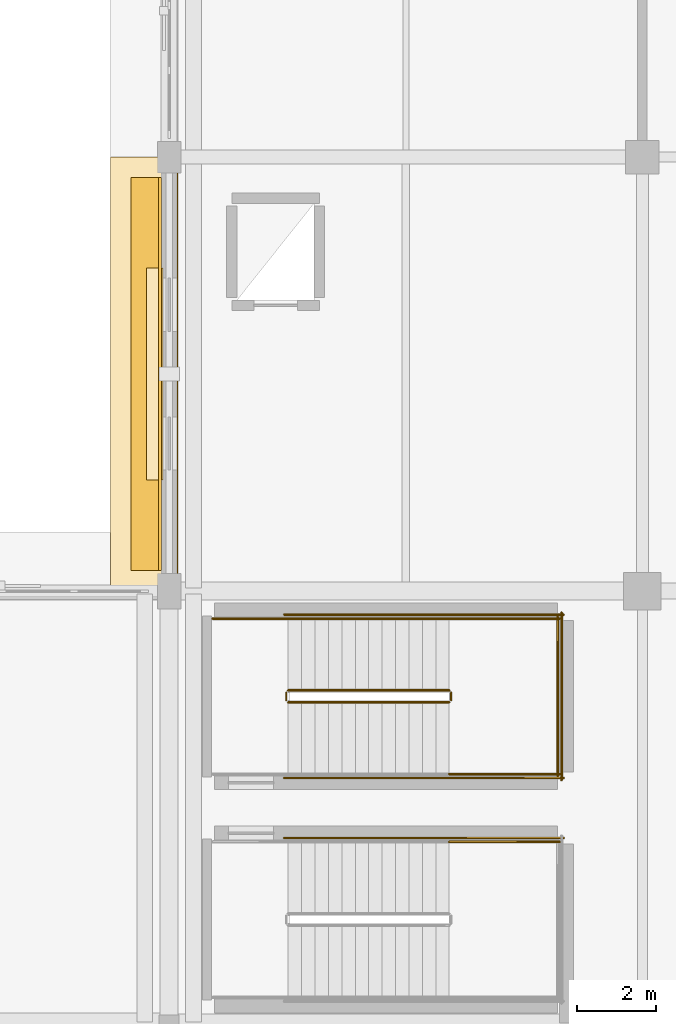
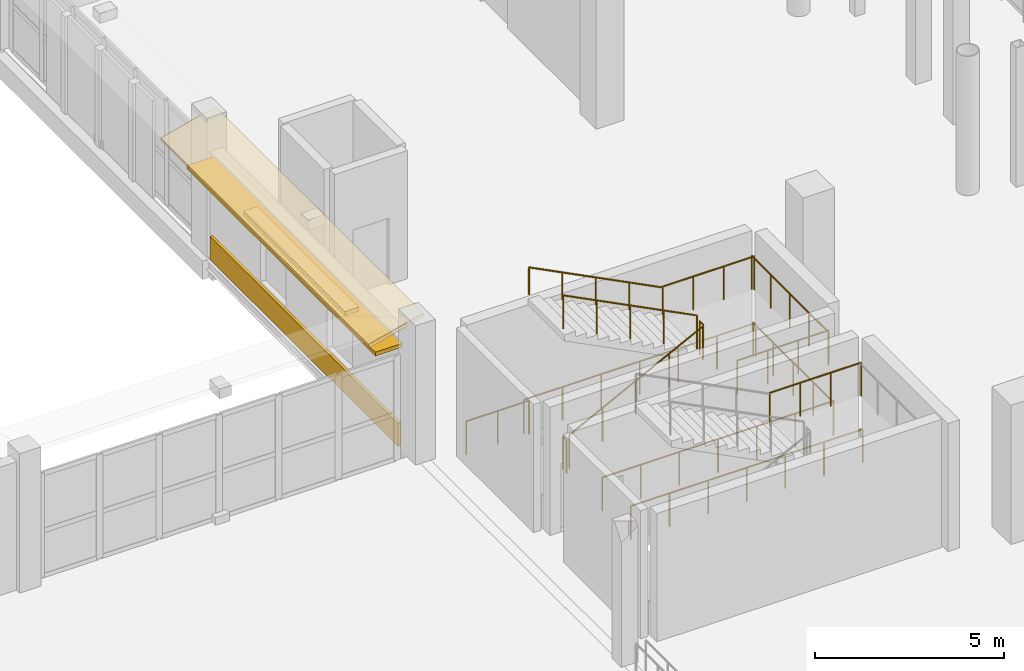
# One storey, part 102 of 118: 14 railings, 3 coverings, 1 shading device.
"""IFC4 building model written with IfcOpenShell, lengths in metres."""

from ifc_helpers import new_model, si_unit, direction, frame, origin, origin_2d, place, context, subcontext, project, spatial, polyline, rectangle, circle, outline, extrude, material, layer, layer_set, type_object, element, save


model = new_model("IFC4")

# Units and contexts
model_context = context("Model", 3, precision=1e-05, world=origin(), true_north=direction((0.0, 1.0)))
body_context = subcontext(model_context, "Body", "Model", "MODEL_VIEW")
ifc_project = project(units=[si_unit("LENGTHUNIT", "METRE"), si_unit("AREAUNIT", "SQUARE_METRE"), si_unit("VOLUMEUNIT", "CUBIC_METRE"), si_unit("PLANEANGLEUNIT", "RADIAN"), si_unit("MASSUNIT", "GRAM", prefix="KILO")], contexts=[model_context])

# Site, building, storey
site_placement = place(None, origin())
site = spatial("IfcSite", under=ifc_project, at=site_placement, CompositionType="ELEMENT")
building_placement = place(site_placement, origin())
building = spatial("IfcBuilding", under=site, at=building_placement, Name="Luwafu Chhajja Arena", CompositionType="ELEMENT")
storey_placement = place(building_placement, frame((0.0, 0.0, 10.199951171875)))
storey = spatial("IfcBuildingStorey", under=building, at=storey_placement, Name="L02", CompositionType="ELEMENT", Elevation=10.199951171875)

# Coverings
ifc_material_1 = material(Name="Red laterite sandstone cladding", Category="masonry")
ifc_layer_1 = layer(ifc_material_1, 0.074951171875, Name="Red laterite sandstone cladding")
ifc_layer_set_1 = layer_set([ifc_layer_1], Name="Red laterite sandstone cladding")
covering_type = type_object("IfcCoveringType", Name="Dressed Red-Laterite Sandstone Cladding", PredefinedType="CLADDING", material=ifc_layer_set_1)
covering_1_placement = place(storey_placement, frame((34.199951171875, 55.0, 4.4599609375), z_axis=(-0.242502450825, 0.0, 0.970150793096), x_axis=(0.0, 1.0, 0.0)))
element("IfcCovering", 1, at=covering_1_placement, inside=storey, type_object=covering_type, Name="L02 Continuous Sloped Sandstone Chhajja Eave 0149", PredefinedType="CLADDING", context=body_context, shape_type="SweptSolid", body=[
    extrude(outline(polyline([(0.0, 0.0), (11.0, 0.0), (11.0, 1.731619097341133), (0.0, 1.731619097341133), (0.0, 0.0)])), origin(), (0.0, 0.0, -1.0), 0.1298828125),
])
covering_2_placement = place(storey_placement, frame((33.76806640625, 60.5, 0.0), z_axis=(0.0, 0.0, 1.0), x_axis=(0.0, 1.0, 0.0)))
element("IfcCovering", 2, at=covering_2_placement, inside=storey, type_object=covering_type, Name="L02 Red-Laterite Sandstone Plinth Cladding 054", PredefinedType="CLADDING", context=body_context, shape_type="SweptSolid", body=[
    extrude(rectangle(XDim=9.9599609375, YDim=0.0849609375, at=origin_2d()), origin(), (0.0, 0.0, 1.0), 0.760009765625),
])
covering_3_placement = place(storey_placement, frame((33.639892578125, 60.5, 2.93017578125), z_axis=(0.0, 0.0, 1.0), x_axis=(0.0, 1.0, 0.0)))
element("IfcCovering", 3, at=covering_3_placement, inside=storey, type_object=covering_type, Name="L02 Mughal Sandstone Window Chhajja Hood 0053", PredefinedType="CLADDING", context=body_context, shape_type="SweptSolid", body=[
    extrude(rectangle(XDim=5.3701171875, YDim=0.419921875, at=origin_2d()), origin(), (0.0, 0.0, 1.0), 0.139892578125),
])

# Shading device
ifc_material_2 = material(Name="Red laterite sandstone chhajja", Category="masonry")
ifc_layer_2 = layer(ifc_material_2, 0.1201171875, Name="Red laterite sandstone chhajja")
ifc_layer_set_2 = layer_set([ifc_layer_2], Name="Red laterite sandstone chhajja")
shading_device_type = type_object("IfcShadingDeviceType", Name="Sloped Red-Sandstone Chhajja Eave", PredefinedType="USERDEFINED", material=ifc_layer_set_2)
shading_device_placement = place(storey_placement, frame((33.43994140625, 60.5, 3.169921875), z_axis=(0.0, 0.0, 1.0), x_axis=(0.0, 1.0, 0.0)))
element("IfcShadingDevice", 4, at=shading_device_placement, inside=storey, type_object=shading_device_type, Name="L02 Sloped Red-Sandstone Chhajja Eave 051", ObjectType="CHHAJJA", PredefinedType="USERDEFINED", context=body_context, shape_type="SweptSolid", body=[
    extrude(rectangle(XDim=9.9599609375, YDim=0.820068359375, at=origin_2d()), origin(), (0.0, 0.0, 1.0), 0.1201171875),
])

# Railings
ifc_material_3 = material(Name="Stainless steel handrail", Category="steel")
railing_type_1 = type_object("IfcRailingType", Name="Stair Pitch Wall Handrail 920", PredefinedType="HANDRAIL", material=ifc_material_3)
railing_1_placement = place(storey_placement, frame((41.10009765625, 54.300048828125, 2.423095703125)))
element("IfcRailing", 5, at=railing_1_placement, inside=storey, type_object=railing_type_1, Name="L02 ST-10 stair handrail 2", PredefinedType="HANDRAIL", context=body_context, shape_type="SweptSolid", body=[
    extrude(circle(Radius=0.02392578125, at=origin_2d()), frame((0.0, 0.0, 0.8759765625), z_axis=(-0.891183106714, 0.0, 0.453643770274), x_axis=(0.0, -1.0, 0.0)), (0.0, 0.0, 1.0), 4.578369140625),
    extrude(circle(Radius=0.02099609375, at=origin_2d()), origin(), (0.0, 0.0, 1.0), 0.851806640625),
    extrude(circle(Radius=0.02099609375, at=origin_2d()), frame((-1.02001953125, 0.0, 0.519287109375)), (0.0, 0.0, 1.0), 0.851806640625),
    extrude(circle(Radius=0.02099609375, at=origin_2d()), frame((-2.0400390625, 0.0, 1.03857421875)), (0.0, 0.0, 1.0), 0.851806640625),
    extrude(circle(Radius=0.02099609375, at=origin_2d()), frame((-3.06005859375, 0.0, 1.5576171875)), (0.0, 0.0, 1.0), 0.851806640625),
    extrude(circle(Radius=0.02099609375, at=origin_2d()), frame((-4.080078125, 0.0, 2.076904296875)), (0.0, 0.0, 1.0), 0.851806640625),
])
ifc_material_4 = material(Name="Stainless steel balustrade", Category="steel")
railing_type_2 = type_object("IfcRailingType", Name="Stair and Terrace Guard Balustrade 1100", PredefinedType="BALUSTRADE", material=ifc_material_4)
railing_2_placement = place(storey_placement, frame((41.10009765625, 48.639892578125, 2.25)))
element("IfcRailing", 6, at=railing_2_placement, inside=storey, type_object=railing_type_2, Name="L02 ST-09 stair guard 4", PredefinedType="BALUSTRADE", context=body_context, shape_type="SweptSolid", body=[
    extrude(circle(Radius=0.02392578125, at=origin_2d()), frame((0.0, 0.0, 1.076171875), z_axis=(1.0, 0.0, 0.0), x_axis=(0.0, 1.0, 0.0)), (0.0, 0.0, 1.0), 2.7998046875),
    extrude(circle(Radius=0.02099609375, at=origin_2d()), origin(), (0.0, 0.0, 1.0), 1.052001953125),
    extrude(circle(Radius=0.02099609375, at=origin_2d()), frame((0.933349609375, 0.0, 0.0)), (0.0, 0.0, 1.0), 1.052001953125),
    extrude(circle(Radius=0.02099609375, at=origin_2d()), frame((1.866455078125, 0.0, 0.0)), (0.0, 0.0, 1.0), 1.052001953125),
    extrude(circle(Radius=0.02099609375, at=origin_2d()), frame((2.7998046875, 0.0, 0.0)), (0.0, 0.0, 1.0), 1.052001953125),
])
railing_3_placement = place(storey_placement, frame((36.919921875, 48.739990234375, 0.0)))
element("IfcRailing", 7, at=railing_3_placement, inside=storey, type_object=railing_type_2, Name="L02 ST-09 stair guard 11", PredefinedType="BALUSTRADE", context=body_context, shape_type="SweptSolid", body=[
    extrude(circle(Radius=0.02392578125, at=origin_2d()), frame((0.0, 0.0, 1.076171875), z_axis=(1.0, 0.0, 0.0), x_axis=(0.0, 1.0, 0.0)), (0.0, 0.0, 1.0), 7.080078125),
    extrude(circle(Radius=0.02099609375, at=origin_2d()), origin(), (0.0, 0.0, 1.0), 1.052001953125),
    extrude(circle(Radius=0.02099609375, at=origin_2d()), frame((1.179931640625, 0.0, 0.0)), (0.0, 0.0, 1.0), 1.052001953125),
    extrude(circle(Radius=0.02099609375, at=origin_2d()), frame((2.360107421875, 0.0, 0.0)), (0.0, 0.0, 1.0), 1.052001953125),
    extrude(circle(Radius=0.02099609375, at=origin_2d()), frame((3.5400390625, 0.0, 0.0)), (0.0, 0.0, 1.0), 1.052001953125),
    extrude(circle(Radius=0.02099609375, at=origin_2d()), frame((4.719970703125, 0.0, 0.0)), (0.0, 0.0, 1.0), 1.052001953125),
    extrude(circle(Radius=0.02099609375, at=origin_2d()), frame((5.900146484375, 0.0, 0.0)), (0.0, 0.0, 1.0), 1.052001953125),
    extrude(circle(Radius=0.02099609375, at=origin_2d()), frame((7.080078125, 0.0, 0.0)), (0.0, 0.0, 1.0), 1.052001953125),
])
railing_4_placement = place(storey_placement, frame((37.02001953125, 52.179931640625, 0.173095703125)))
element("IfcRailing", 8, at=railing_4_placement, inside=storey, type_object=railing_type_2, Name="L02 ST-10 stair guard 1", PredefinedType="BALUSTRADE", context=body_context, shape_type="SweptSolid", body=[
    extrude(circle(Radius=0.02392578125, at=origin_2d()), frame((0.0, 0.0, 1.076171875), z_axis=(0.891183106714, 0.0, 0.453643770274), x_axis=(0.0, 1.0, 0.0)), (0.0, 0.0, 1.0), 4.578369140625),
    extrude(circle(Radius=0.02099609375, at=origin_2d()), origin(), (0.0, 0.0, 1.0), 1.052001953125),
    extrude(circle(Radius=0.02099609375, at=origin_2d()), frame((1.02001953125, 0.0, 0.519287109375)), (0.0, 0.0, 1.0), 1.052001953125),
    extrude(circle(Radius=0.02099609375, at=origin_2d()), frame((2.0400390625, 0.0, 1.03857421875)), (0.0, 0.0, 1.0), 1.052001953125),
    extrude(circle(Radius=0.02099609375, at=origin_2d()), frame((3.06005859375, 0.0, 1.5576171875)), (0.0, 0.0, 1.0), 1.052001953125),
    extrude(circle(Radius=0.02099609375, at=origin_2d()), frame((4.080078125, 0.0, 2.076904296875)), (0.0, 0.0, 1.0), 1.052001953125),
])
railing_5_placement = place(storey_placement, frame((41.14990234375, 52.22998046875, 2.25)))
element("IfcRailing", 9, at=railing_5_placement, inside=storey, type_object=railing_type_2, Name="L02 ST-10 stair guard 2", PredefinedType="BALUSTRADE", context=body_context, shape_type="SweptSolid", body=[
    extrude(circle(Radius=0.02392578125, at=origin_2d()), frame((0.0, 0.0, 1.076171875), z_axis=(0.0, 1.0, 0.0), x_axis=(-1.0, 0.0, 0.0)), (0.0, 0.0, 1.0), 0.199951171875),
    extrude(circle(Radius=0.02099609375, at=origin_2d()), origin(), (0.0, 0.0, 1.0), 1.052001953125),
    extrude(circle(Radius=0.02099609375, at=origin_2d()), frame((0.0, 0.199951171875, 0.0)), (0.0, 0.0, 1.0), 1.052001953125),
])
for number, where, name in (
    (10, (41.10009765625, 50.360107421875, 2.25), "L02 ST-10 stair guard 3"),
    (11, (41.10009765625, 54.300048828125, 2.25), "L02 ST-10 stair guard 4"),
):
    element("IfcRailing", number, at=place(storey_placement, frame(where)), inside=storey, type_object=railing_type_2, Name=name, PredefinedType="BALUSTRADE", context=body_context, shape_type="SweptSolid", body=[
        extrude(circle(Radius=0.02392578125, at=origin_2d()), frame((0.0, 0.0, 1.076171875), z_axis=(1.0, 0.0, 0.0), x_axis=(0.0, 1.0, 0.0)), (0.0, 0.0, 1.0), 2.7998046875),
        extrude(circle(Radius=0.02099609375, at=origin_2d()), origin(), (0.0, 0.0, 1.0), 1.052001953125),
        extrude(circle(Radius=0.02099609375, at=origin_2d()), frame((0.933349609375, 0.0, 0.0)), (0.0, 0.0, 1.0), 1.052001953125),
        extrude(circle(Radius=0.02099609375, at=origin_2d()), frame((1.866455078125, 0.0, 0.0)), (0.0, 0.0, 1.0), 1.052001953125),
        extrude(circle(Radius=0.02099609375, at=origin_2d()), frame((2.7998046875, 0.0, 0.0)), (0.0, 0.0, 1.0), 1.052001953125),
    ])
railing_6_placement = place(storey_placement, frame((43.85009765625, 50.31005859375, 2.25)))
element("IfcRailing", 12, at=railing_6_placement, inside=storey, type_object=railing_type_2, Name="L02 ST-10 stair guard 5", PredefinedType="BALUSTRADE", context=body_context, shape_type="SweptSolid", body=[
    extrude(circle(Radius=0.02392578125, at=origin_2d()), frame((0.0, 0.0, 1.076171875), z_axis=(0.0, 1.0, 0.0), x_axis=(-1.0, 0.0, 0.0)), (0.0, 0.0, 1.0), 4.0400390625),
    extrude(circle(Radius=0.02099609375, at=origin_2d()), origin(), (0.0, 0.0, 1.0), 1.052001953125),
    extrude(circle(Radius=0.02099609375, at=origin_2d()), frame((0.0, 1.010009765625, 0.0)), (0.0, 0.0, 1.0), 1.052001953125),
    extrude(circle(Radius=0.02099609375, at=origin_2d()), frame((0.0, 2.02001953125, 0.0)), (0.0, 0.0, 1.0), 1.052001953125),
    extrude(circle(Radius=0.02099609375, at=origin_2d()), frame((0.0, 3.030029296875, 0.0)), (0.0, 0.0, 1.0), 1.052001953125),
    extrude(circle(Radius=0.02099609375, at=origin_2d()), frame((0.0, 4.0400390625, 0.0)), (0.0, 0.0, 1.0), 1.052001953125),
])
railing_7_placement = place(storey_placement, frame((41.10009765625, 52.47998046875, 2.423095703125)))
element("IfcRailing", 13, at=railing_7_placement, inside=storey, type_object=railing_type_2, Name="L02 ST-10 stair guard 6", PredefinedType="BALUSTRADE", context=body_context, shape_type="SweptSolid", body=[
    extrude(circle(Radius=0.02392578125, at=origin_2d()), frame((0.0, 0.0, 1.076171875), z_axis=(-0.891183106714, 0.0, 0.453643770274), x_axis=(0.0, -1.0, 0.0)), (0.0, 0.0, 1.0), 4.578369140625),
    extrude(circle(Radius=0.02099609375, at=origin_2d()), origin(), (0.0, 0.0, 1.0), 1.052001953125),
    extrude(circle(Radius=0.02099609375, at=origin_2d()), frame((-1.02001953125, 0.0, 0.519287109375)), (0.0, 0.0, 1.0), 1.052001953125),
    extrude(circle(Radius=0.02099609375, at=origin_2d()), frame((-2.0400390625, 0.0, 1.03857421875)), (0.0, 0.0, 1.0), 1.052001953125),
    extrude(circle(Radius=0.02099609375, at=origin_2d()), frame((-3.06005859375, 0.0, 1.5576171875)), (0.0, 0.0, 1.0), 1.052001953125),
    extrude(circle(Radius=0.02099609375, at=origin_2d()), frame((-4.080078125, 0.0, 2.076904296875)), (0.0, 0.0, 1.0), 1.052001953125),
])
railing_8_placement = place(storey_placement, frame((36.969970703125, 52.22998046875, 0.0)))
element("IfcRailing", 14, at=railing_8_placement, inside=storey, type_object=railing_type_2, Name="L02 ST-10 stair guard 7", PredefinedType="BALUSTRADE", context=body_context, shape_type="SweptSolid", body=[
    extrude(circle(Radius=0.02392578125, at=origin_2d()), frame((0.0, 0.0, 1.076171875), z_axis=(0.0, 1.0, 0.0), x_axis=(-1.0, 0.0, 0.0)), (0.0, 0.0, 1.0), 0.199951171875),
    extrude(circle(Radius=0.02099609375, at=origin_2d()), origin(), (0.0, 0.0, 1.0), 1.052001953125),
    extrude(circle(Radius=0.02099609375, at=origin_2d()), frame((0.0, 0.199951171875, 0.0)), (0.0, 0.0, 1.0), 1.052001953125),
])
railing_9_placement = place(storey_placement, frame((35.10009765625, 54.300048828125, 0.0)))
element("IfcRailing", 15, at=railing_9_placement, inside=storey, type_object=railing_type_2, Name="L02 ST-10 stair guard 9", PredefinedType="BALUSTRADE", context=body_context, shape_type="SweptSolid", body=[
    extrude(circle(Radius=0.02392578125, at=origin_2d()), frame((0.0, 0.0, 1.076171875), z_axis=(1.0, 0.0, 0.0), x_axis=(0.0, 1.0, 0.0)), (0.0, 0.0, 1.0), 1.919921875),
    extrude(circle(Radius=0.02099609375, at=origin_2d()), origin(), (0.0, 0.0, 1.0), 1.052001953125),
    extrude(circle(Radius=0.02099609375, at=origin_2d()), frame((0.9599609375, 0.0, 0.0)), (0.0, 0.0, 1.0), 1.052001953125),
    extrude(circle(Radius=0.02099609375, at=origin_2d()), frame((1.919921875, 0.0, 0.0)), (0.0, 0.0, 1.0), 1.052001953125),
])
for number, where, name in (
    (16, (36.919921875, 50.260009765625, 0.0), "L02 ST-10 stair guard 10"),
    (17, (36.919921875, 54.39990234375, 0.0), "L02 ST-10 stair guard 11"),
):
    element("IfcRailing", number, at=place(storey_placement, frame(where)), inside=storey, type_object=railing_type_2, Name=name, PredefinedType="BALUSTRADE", context=body_context, shape_type="SweptSolid", body=[
        extrude(circle(Radius=0.02392578125, at=origin_2d()), frame((0.0, 0.0, 1.076171875), z_axis=(1.0, 0.0, 0.0), x_axis=(0.0, 1.0, 0.0)), (0.0, 0.0, 1.0), 7.080078125),
        extrude(circle(Radius=0.02099609375, at=origin_2d()), origin(), (0.0, 0.0, 1.0), 1.052001953125),
        extrude(circle(Radius=0.02099609375, at=origin_2d()), frame((1.179931640625, 0.0, 0.0)), (0.0, 0.0, 1.0), 1.052001953125),
        extrude(circle(Radius=0.02099609375, at=origin_2d()), frame((2.360107421875, 0.0, 0.0)), (0.0, 0.0, 1.0), 1.052001953125),
        extrude(circle(Radius=0.02099609375, at=origin_2d()), frame((3.5400390625, 0.0, 0.0)), (0.0, 0.0, 1.0), 1.052001953125),
        extrude(circle(Radius=0.02099609375, at=origin_2d()), frame((4.719970703125, 0.0, 0.0)), (0.0, 0.0, 1.0), 1.052001953125),
        extrude(circle(Radius=0.02099609375, at=origin_2d()), frame((5.900146484375, 0.0, 0.0)), (0.0, 0.0, 1.0), 1.052001953125),
        extrude(circle(Radius=0.02099609375, at=origin_2d()), frame((7.080078125, 0.0, 0.0)), (0.0, 0.0, 1.0), 1.052001953125),
    ])
railing_10_placement = place(storey_placement, frame((43.949951171875, 50.2099609375, 0.0)))
element("IfcRailing", 18, at=railing_10_placement, inside=storey, type_object=railing_type_2, Name="L02 ST-10 stair guard 12", PredefinedType="BALUSTRADE", context=body_context, shape_type="SweptSolid", body=[
    extrude(circle(Radius=0.02392578125, at=origin_2d()), frame((0.0, 0.0, 1.076171875), z_axis=(0.0, 1.0, 0.0), x_axis=(-1.0, 0.0, 0.0)), (0.0, 0.0, 1.0), 4.239990234375),
    extrude(circle(Radius=0.02099609375, at=origin_2d()), origin(), (0.0, 0.0, 1.0), 1.052001953125),
    extrude(circle(Radius=0.02099609375, at=origin_2d()), frame((0.0, 1.06005859375, 0.0)), (0.0, 0.0, 1.0), 1.052001953125),
    extrude(circle(Radius=0.02099609375, at=origin_2d()), frame((0.0, 2.1201171875, 0.0)), (0.0, 0.0, 1.0), 1.052001953125),
    extrude(circle(Radius=0.02099609375, at=origin_2d()), frame((0.0, 3.179931640625, 0.0)), (0.0, 0.0, 1.0), 1.052001953125),
    extrude(circle(Radius=0.02099609375, at=origin_2d()), frame((0.0, 4.239990234375, 0.0)), (0.0, 0.0, 1.0), 1.052001953125),
])

save(model, "model.ifc")
